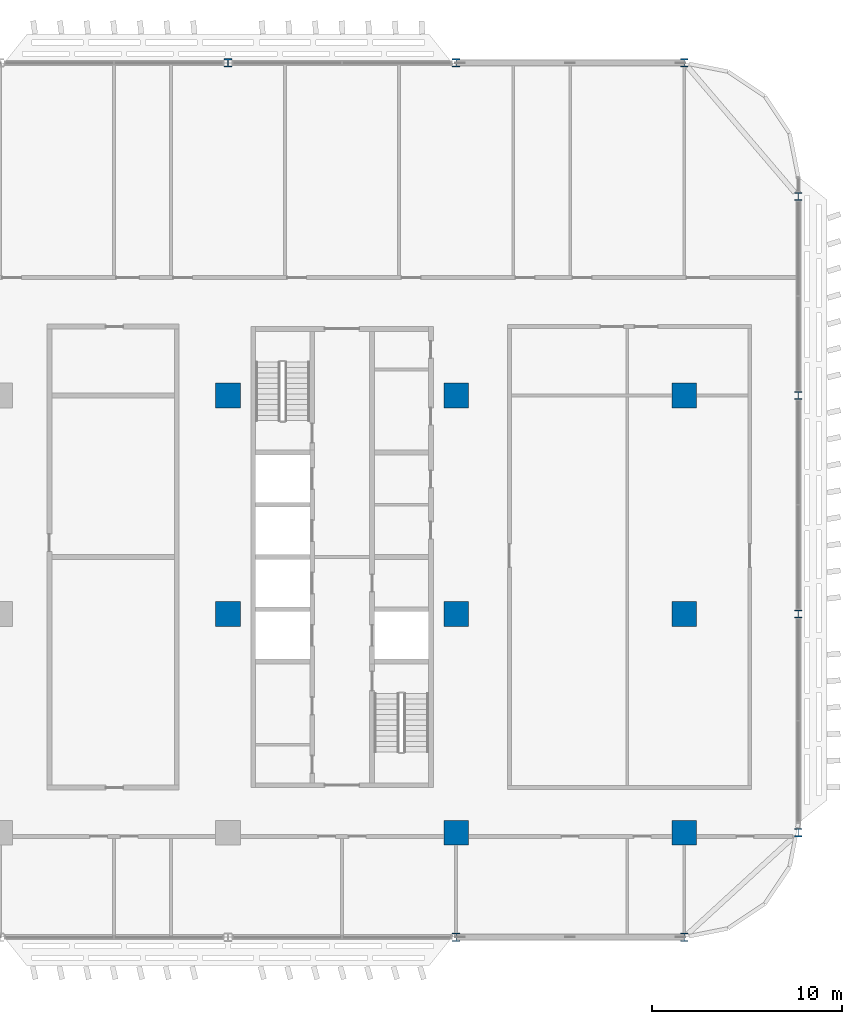
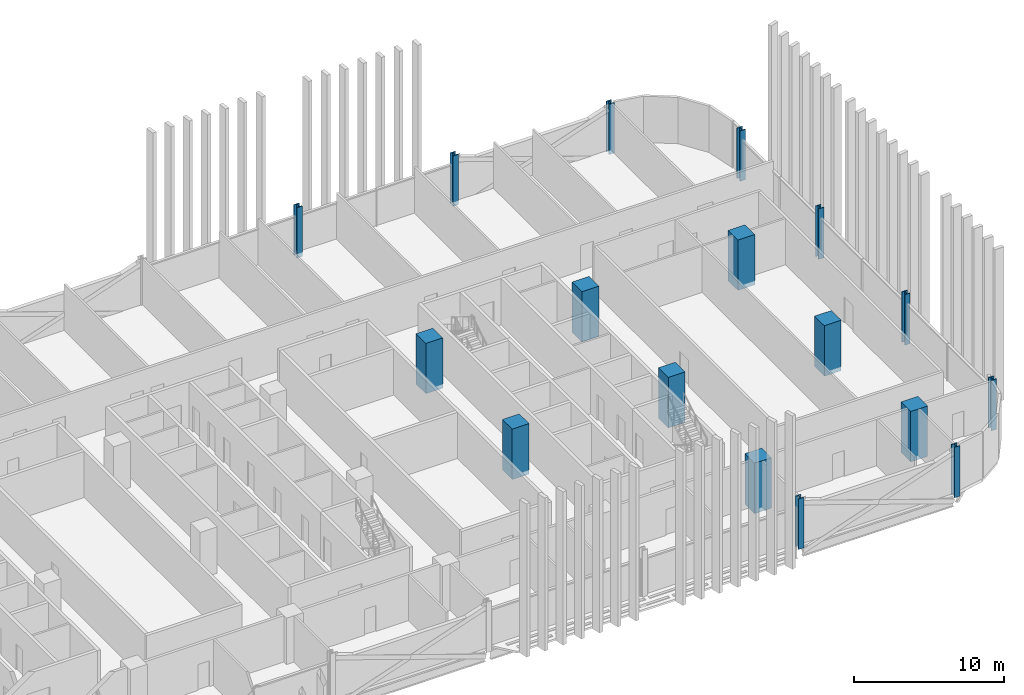
# One storey, part 2 of 32: 17 columns.
"""IFC4 building model written with IfcOpenShell, lengths in metres."""

from ifc_helpers import new_model, si_unit, direction, frame, origin, origin_2d, place, context, subcontext, project, spatial, rectangle, i_section, extrude, material, material_profile, profile_set, type_object, element, save


model = new_model("IFC4")

# Units and contexts
model_context = context("Model", 3, precision=1e-05, world=origin(), true_north=direction((0.0, 1.0)))
body_context = subcontext(model_context, "Body", "Model", "MODEL_VIEW")
ifc_project = project(units=[si_unit("LENGTHUNIT", "METRE"), si_unit("AREAUNIT", "SQUARE_METRE"), si_unit("VOLUMEUNIT", "CUBIC_METRE"), si_unit("PLANEANGLEUNIT", "RADIAN"), si_unit("MASSUNIT", "GRAM", prefix="KILO")], contexts=[model_context])

# Site, building, storey
site_placement = place(None, origin())
site = spatial("IfcSite", under=ifc_project, at=site_placement, CompositionType="ELEMENT")
building_placement = place(site_placement, origin())
building = spatial("IfcBuilding", under=site, at=building_placement, Name="Mahtab Terrace Research Tower", CompositionType="ELEMENT")
storey_placement = place(building_placement, frame((0.0, 0.0, 138.39990234375)))
storey = spatial("IfcBuildingStorey", under=building, at=storey_placement, Name="L32", CompositionType="ELEMENT", Elevation=138.39990234375)

# Columns
ifc_material_1 = material(Name="Concrete C70/85", Category="concrete")
ifc_material_profile_1 = material_profile(ifc_material_1, rectangle(XDim=1.300048828125, YDim=1.300048828125, at=origin_2d()), Name="RC column 1300x1300")
ifc_profile_set_1 = profile_set([ifc_material_profile_1], Name="Concrete C70/85")
column_type_1 = type_object("IfcColumnType", Name="RC column 1300x1300", PredefinedType="COLUMN", material=ifc_profile_set_1)
for number, where, z_axis, x_axis, name in (
    (1, (18.0, 0.0, -0.33984375), (0.0, 0.0, 1.0), (1.0, 0.0, 0.0), "Column RC-6B L32"),
    (2, (18.0, 11.5, -0.33984375), (0.0, 0.0, 1.0), (1.0, 0.0, 0.0), "Column RC-6C L32"),
    (3, (30.0, -11.5, -0.33984375), (0.0, 0.0, 1.0), (1.0, 0.0, 0.0), "Column RC-7A L32"),
    (4, (30.0, 0.0, -0.33984375), (0.0, 0.0, 1.0), (1.0, 0.0, 0.0), "Column RC-7B L32"),
    (5, (30.0, 11.5, -0.33984375), (0.0, 0.0, 1.0), (1.0, 0.0, 0.0), "Column RC-7C L32"),
    (6, (42.0, -11.5, -0.33984375), (0.0, 0.0, 1.0), (1.0, 0.0, 0.0), "Column RC-8A L32"),
    (7, (42.0, 0.0, -0.33984375), (0.0, 0.0, 1.0), (1.0, 0.0, 0.0), "Column RC-8B L32"),
    (8, (42.0, 11.5, -0.33984375), (0.0, 0.0, 1.0), (1.0, 0.0, 0.0), "Column RC-8C L32"),
):
    element("IfcColumn", number, at=place(storey_placement, frame(where, z_axis=z_axis, x_axis=x_axis)), inside=storey, type_object=column_type_1, Name=name, PredefinedType="COLUMN", context=body_context, shape_type="SweptSolid", body=[
        extrude(rectangle(XDim=1.300048828125, YDim=1.300048828125, at=origin_2d()), origin(), (0.0, 0.0, 1.0), 4.099853515625),
    ])
ifc_material_2 = material(Name="Steel ASTM A992 Gr 50", Category="steel")
ifc_material_profile_2 = material_profile(ifc_material_2, i_section(OverallWidth=0.41162109375, OverallDepth=0.434326171875, WebThickness=0.035888671875, FlangeThickness=0.057373046875, at=origin_2d()), Name="W14X311")
ifc_profile_set_2 = profile_set([ifc_material_profile_2], Name="Steel ASTM A992 Gr 50")
column_type_2 = type_object("IfcColumnType", Name="W14x311 column CS14311", PredefinedType="COLUMN", material=ifc_profile_set_2)
for number, where, z_axis, x_axis, name in (
    (9, (42.0, 29.0, -0.33984375), (0.0, 0.0, 1.0), (1.0, 0.0, 0.0), "Column SC-031 L32"),
    (10, (30.0, 29.0, -0.33984375), (0.0, 0.0, 1.0), (1.0, 0.0, 0.0), "Column SC-032 L32"),
    (11, (18.0, 29.0, -0.33984375), (0.0, 0.0, 1.0), (1.0, 0.0, 0.0), "Column SC-033 L32"),
    (12, (30.0, -17.0, -0.33984375), (0.0, 0.0, 1.0), (1.0, 0.0, 0.0), "Column SC-044 L32"),
    (13, (42.0, -17.0, -0.33984375), (0.0, 0.0, 1.0), (1.0, 0.0, 0.0), "Column SC-045 L32"),
    (14, (48.0, -11.5, -0.33984375), (0.0, 0.0, 1.0), (1.0, 0.0, 0.0), "Column SC-020 L32"),
    (15, (48.0, 0.0, -0.33984375), (0.0, 0.0, 1.0), (1.0, 0.0, 0.0), "Column SC-021 L32"),
    (16, (48.0, 11.5, -0.33984375), (0.0, 0.0, 1.0), (1.0, 0.0, 0.0), "Column SC-022 L32"),
    (17, (48.0, 21.9619140625, -0.33984375), (0.0, 0.0, 1.0), (1.0, 0.0, 0.0), "Column SC-050 L32"),
):
    element("IfcColumn", number, at=place(storey_placement, frame(where, z_axis=z_axis, x_axis=x_axis)), inside=storey, type_object=column_type_2, Name=name, PredefinedType="COLUMN", context=body_context, shape_type="SweptSolid", body=[
        extrude(i_section(OverallWidth=0.41162109375, OverallDepth=0.434326171875, WebThickness=0.035888671875, FlangeThickness=0.057373046875, at=origin_2d()), origin(), (0.0, 0.0, 1.0), 4.099853515625),
    ])

save(model, "model.ifc")
